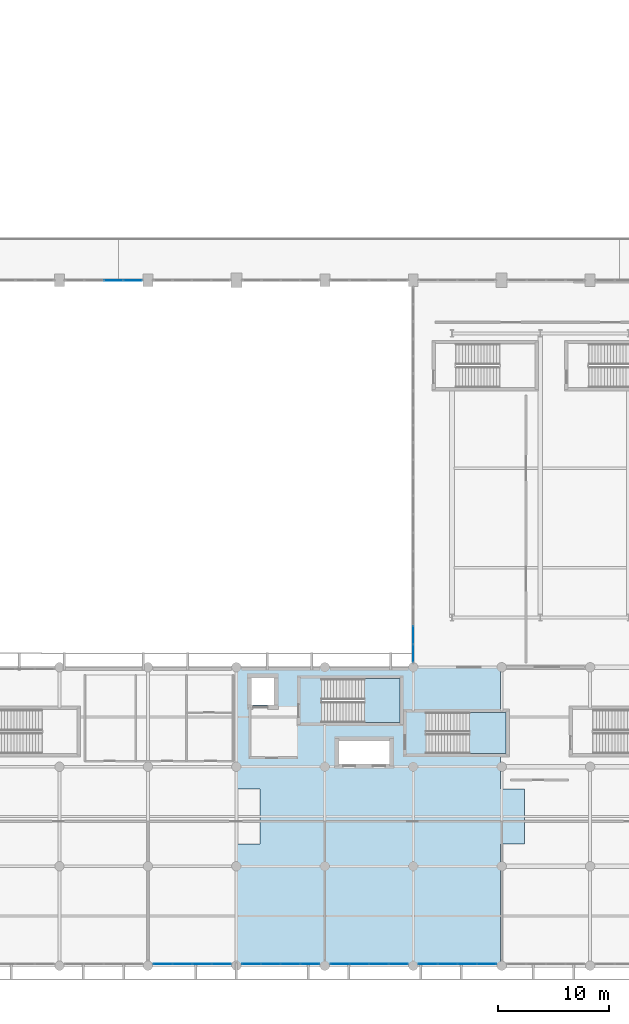
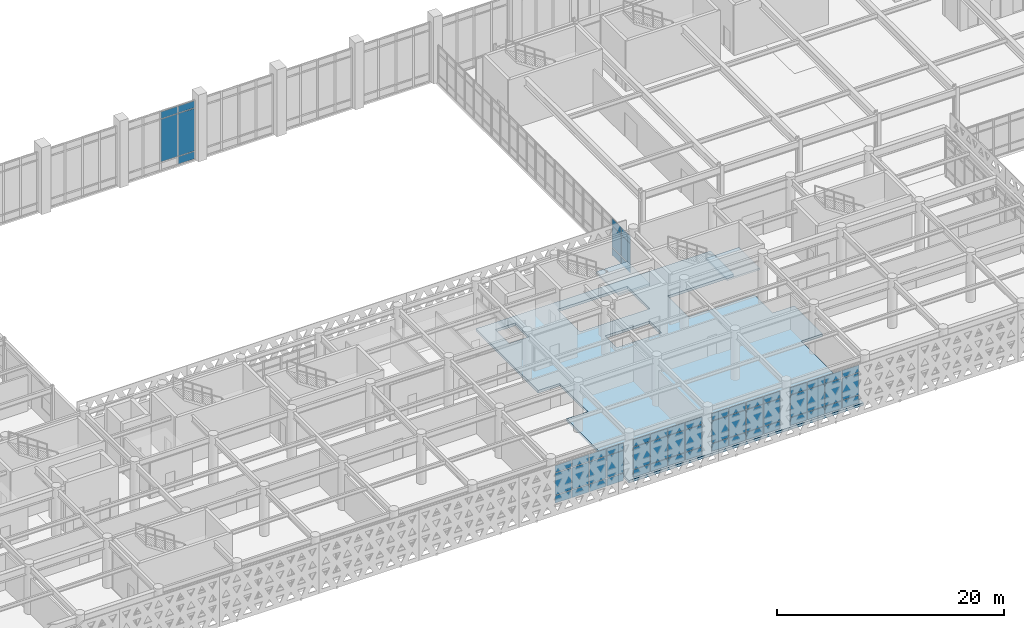
# One storey, part 49 of 84: 59 plates, 3 slabs, 8 elements without a shape of their own.
"""IFC4 building model written with IfcOpenShell, lengths in metres."""

from ifc_helpers import new_model, si_unit, direction, frame, origin, origin_2d, place, context, subcontext, project, spatial, polyline, rectangle, outline, extrude, material, layer, layer_set, type_object, element, aggregate, save


model = new_model("IFC4")

# Units and contexts
model_context = context("Model", 3, precision=1e-05, world=origin(), true_north=direction((0.0, 1.0)))
body_context = subcontext(model_context, "Body", "Model", "MODEL_VIEW")
ifc_project = project(units=[si_unit("LENGTHUNIT", "METRE"), si_unit("AREAUNIT", "SQUARE_METRE"), si_unit("VOLUMEUNIT", "CUBIC_METRE"), si_unit("PLANEANGLEUNIT", "RADIAN"), si_unit("MASSUNIT", "GRAM", prefix="KILO")], contexts=[model_context])

# Site, building, storey
site_placement = place(None, origin())
site = spatial("IfcSite", under=ifc_project, at=site_placement, CompositionType="ELEMENT")
building_placement = place(site_placement, origin())
building = spatial("IfcBuilding", under=site, at=building_placement, Name="Tlacozan Convention Centre", CompositionType="ELEMENT")
storey_placement = place(building_placement, frame((0.0, 0.0, 6.0)))
storey = spatial("IfcBuildingStorey", under=building, at=storey_placement, Name="L01", CompositionType="ELEMENT", Elevation=6.0)

# Curtain wall, plates
ifc_material_1 = material(Name="Dark Bronze Anodised Aluminium", Category="aluminium")
ifc_layer_1 = layer(ifc_material_1, 0.199951171875)
ifc_layer_set_1 = layer_set([ifc_layer_1], Name="Dark Bronze Anodised Aluminium")
curtain_wall_type_1 = type_object("IfcCurtainWallType", Name="Exhibition Clerestory Curtain Wall CW10", PredefinedType="NOTDEFINED", material=ifc_layer_set_1)
curtain_wall_1_placement = place(storey_placement, origin())
curtain_wall_1 = element("IfcCurtainWall", 1, at=curtain_wall_1_placement, inside=storey, type_object=curtain_wall_type_1, Name="L01 CW-10 Run 16", PredefinedType="NOTDEFINED")
ifc_material_2 = material(Name="Solar Control Double Low-E Argon Glazing", Category="glass")
ifc_layer_2 = layer(ifc_material_2, 0.050048828125)
ifc_layer_set_2 = layer_set([ifc_layer_2], Name="Solar Control Double Low-E Argon Glazing")
plate_type_1 = type_object("IfcPlateType", Name="Clerestory Solar CW Panel 50", PredefinedType="CURTAIN_PANEL", material=ifc_layer_set_2)
plate_1_placement = place(storey_placement, frame((60.8837890625, 62.0, 0.9375), z_axis=(0.0, 0.0, 1.0), x_axis=(1.0, 0.0, 0.0)))
plate_1 = element("IfcPlate", 2, at=plate_1_placement, type_object=plate_type_1, Name="CW-10 panel 3.2", PredefinedType="CURTAIN_PANEL", context=body_context, shape_type="SweptSolid", body=[
    extrude(rectangle(XDim=1.6923828125, YDim=0.050048828125, at=origin_2d()), origin(), (0.0, 0.0, 1.0), 4.574951171875),
])
plate_2_placement = place(storey_placement, frame((60.8837890625, 62.0, 5.58740234375), z_axis=(0.0, 0.0, 1.0), x_axis=(1.0, 0.0, 0.0)))
plate_2 = element("IfcPlate", 3, at=plate_2_placement, type_object=plate_type_1, Name="CW-10 panel 3.3", PredefinedType="CURTAIN_PANEL", context=body_context, shape_type="SweptSolid", body=[
    extrude(rectangle(XDim=1.6923828125, YDim=0.050048828125, at=origin_2d()), origin(), (0.0, 0.0, 1.0), 0.737548828125),
])
plate_3_placement = place(storey_placement, frame((62.632568359375, 62.0, 0.074951171875), z_axis=(0.0, 0.0, 1.0), x_axis=(1.0, 0.0, 0.0)))
plate_3 = element("IfcPlate", 4, at=plate_3_placement, type_object=plate_type_1, Name="CW-10 panel 4.1", PredefinedType="CURTAIN_PANEL", context=body_context, shape_type="SweptSolid", body=[
    extrude(rectangle(XDim=1.655029296875, YDim=0.050048828125, at=origin_2d()), origin(), (0.0, 0.0, 1.0), 0.78759765625),
])
plate_4_placement = place(storey_placement, frame((62.632568359375, 62.0, 0.9375), z_axis=(0.0, 0.0, 1.0), x_axis=(1.0, 0.0, 0.0)))
plate_4 = element("IfcPlate", 5, at=plate_4_placement, type_object=plate_type_1, Name="CW-10 panel 4.2", PredefinedType="CURTAIN_PANEL", context=body_context, shape_type="SweptSolid", body=[
    extrude(rectangle(XDim=1.655029296875, YDim=0.050048828125, at=origin_2d()), origin(), (0.0, 0.0, 1.0), 4.574951171875),
])
plate_5_placement = place(storey_placement, frame((62.632568359375, 62.0, 5.58740234375), z_axis=(0.0, 0.0, 1.0), x_axis=(1.0, 0.0, 0.0)))
plate_5 = element("IfcPlate", 6, at=plate_5_placement, type_object=plate_type_1, Name="CW-10 panel 4.3", PredefinedType="CURTAIN_PANEL", context=body_context, shape_type="SweptSolid", body=[
    extrude(rectangle(XDim=1.655029296875, YDim=0.050048828125, at=origin_2d()), origin(), (0.0, 0.0, 1.0), 0.737548828125),
])
aggregate(curtain_wall_1, [plate_1, plate_2, plate_3, plate_4, plate_5])

# Slab
ifc_material_3 = material(Name="Concrete C40/50", Category="concrete")
ifc_layer_3 = layer(ifc_material_3, 0.280029296875)
ifc_layer_set_3 = layer_set([ifc_layer_3], Name="Concrete C40/50")
slab_type_1 = type_object("IfcSlabType", Name="Congress Composite Floor Slab 280", PredefinedType="FLOOR", material=ifc_layer_set_3)
slab_1_placement = place(storey_placement, frame((0.0, 0.0, -0.280029296875)))
element("IfcSlab", 7, at=slab_1_placement, inside=storey, type_object=slab_type_1, Name="L01 Congress Composite Floor Slab 280 56", PredefinedType="FLOOR", context=body_context, shape_type="SweptSolid", body=[
    extrude(outline(polyline([(71.9599609375, 11.0), (74.159912109375, 11.0), (74.159912109375, 16.0), (71.9599609375, 16.0), (71.9599609375, 27.0), (95.8798828125, 27.0), (95.8798828125, 22.89990234375), (89.14990234375, 22.89990234375), (89.14990234375, 19.199951171875), (95.8798828125, 19.199951171875), (95.8798828125, 16.0), (98.080078125, 16.0), (98.080078125, 11.0), (95.8798828125, 11.0), (95.8798828125, 0.0), (71.9599609375, 0.0), (71.9599609375, 11.0)]), holes=[polyline([(75.419921875, 23.580078125), (75.419921875, 26.02001953125), (73.3798828125, 26.02001953125), (73.3798828125, 23.580078125), (75.419921875, 23.580078125)]), polyline([(85.830078125, 20.330078125), (81.27001953125, 20.330078125), (81.27001953125, 18.27001953125), (85.830078125, 18.27001953125), (85.830078125, 20.330078125)]), polyline([(79.679931640625, 22.0), (86.800048828125, 22.0), (86.800048828125, 25.9599609375), (79.679931640625, 25.9599609375), (79.679931640625, 22.0)])]), origin(), (0.0, 0.0, 1.0), 0.280029296875),
])

# Curtain wall, plates
ifc_layer_4 = layer(ifc_material_1, 0.199951171875)
ifc_layer_set_4 = layer_set([ifc_layer_4], Name="Dark Bronze Anodised Aluminium")
curtain_wall_type_2 = type_object("IfcCurtainWallType", Name="Unitised Ballroom Cloister L01 CW08", PredefinedType="NOTDEFINED", material=ifc_layer_set_4)
curtain_wall_2_placement = place(storey_placement, origin())
curtain_wall_2 = element("IfcCurtainWall", 8, at=curtain_wall_2_placement, inside=storey, type_object=curtain_wall_type_2, Name="L01 CW-08 Run 155", PredefinedType="NOTDEFINED")
ifc_layer_5 = layer(ifc_material_2, 0.030029296875)
ifc_layer_set_5 = layer_set([ifc_layer_5], Name="Solar Control Double Low-E Argon Glazing")
plate_type_2 = type_object("IfcPlateType", Name="Double Low-E Acoustic CW Panel 30", PredefinedType="CURTAIN_PANEL", material=ifc_layer_set_5)
plate_6_placement = place(storey_placement, frame((88.0, 28.2587890625, 0.074951171875), z_axis=(0.0, 0.0, 1.0), x_axis=(0.0, 1.0, 0.0)))
plate_6 = element("IfcPlate", 9, at=plate_6_placement, type_object=plate_type_2, Name="CW-08 panel 1.1", PredefinedType="CURTAIN_PANEL", context=body_context, shape_type="SweptSolid", body=[
    extrude(rectangle(XDim=1.5673828125, YDim=0.030029296875, at=origin_2d()), origin(), (0.0, 0.0, 1.0), 0.78759765625),
])
plate_7_placement = place(storey_placement, frame((88.0, 28.2587890625, 0.9375), z_axis=(0.0, 0.0, 1.0), x_axis=(0.0, 1.0, 0.0)))
plate_7 = element("IfcPlate", 10, at=plate_7_placement, type_object=plate_type_2, Name="CW-08 panel 1.2", PredefinedType="CURTAIN_PANEL", context=body_context, shape_type="SweptSolid", body=[
    extrude(rectangle(XDim=1.5673828125, YDim=0.030029296875, at=origin_2d()), origin(), (0.0, 0.0, 1.0), 2.27490234375),
])
plate_8_placement = place(storey_placement, frame((88.0, 28.2587890625, 3.28759765625), z_axis=(0.0, 0.0, 1.0), x_axis=(0.0, 1.0, 0.0)))
plate_8 = element("IfcPlate", 11, at=plate_8_placement, type_object=plate_type_2, Name="CW-08 panel 1.3", PredefinedType="CURTAIN_PANEL", context=body_context, shape_type="SweptSolid", body=[
    extrude(rectangle(XDim=1.5673828125, YDim=0.030029296875, at=origin_2d()), origin(), (0.0, 0.0, 1.0), 0.737548828125),
])
plate_9_placement = place(storey_placement, frame((88.0, 29.919921875, 0.074951171875), z_axis=(0.0, 0.0, 1.0), x_axis=(0.0, 1.0, 0.0)))
plate_9 = element("IfcPlate", 12, at=plate_9_placement, type_object=plate_type_2, Name="CW-08 panel 2.1", PredefinedType="CURTAIN_PANEL", context=body_context, shape_type="SweptSolid", body=[
    extrude(rectangle(XDim=1.60498046875, YDim=0.030029296875, at=origin_2d()), origin(), (0.0, 0.0, 1.0), 0.78759765625),
])
plate_10_placement = place(storey_placement, frame((88.0, 29.919921875, 0.9375), z_axis=(0.0, 0.0, 1.0), x_axis=(0.0, 1.0, 0.0)))
plate_10 = element("IfcPlate", 13, at=plate_10_placement, type_object=plate_type_2, Name="CW-08 panel 2.2", PredefinedType="CURTAIN_PANEL", context=body_context, shape_type="SweptSolid", body=[
    extrude(rectangle(XDim=1.60498046875, YDim=0.030029296875, at=origin_2d()), origin(), (0.0, 0.0, 1.0), 2.27490234375),
])
plate_11_placement = place(storey_placement, frame((88.0, 29.919921875, 3.28759765625), z_axis=(0.0, 0.0, 1.0), x_axis=(0.0, 1.0, 0.0)))
plate_11 = element("IfcPlate", 14, at=plate_11_placement, type_object=plate_type_2, Name="CW-08 panel 2.3", PredefinedType="CURTAIN_PANEL", context=body_context, shape_type="SweptSolid", body=[
    extrude(rectangle(XDim=1.60498046875, YDim=0.030029296875, at=origin_2d()), origin(), (0.0, 0.0, 1.0), 0.737548828125),
])
aggregate(curtain_wall_2, [plate_6, plate_7, plate_8, plate_9, plate_10, plate_11])

ifc_layer_6 = layer(ifc_material_1, 0.159912109375)
ifc_layer_set_6 = layer_set([ifc_layer_6], Name="Dark Bronze Anodised Aluminium")
curtain_wall_type_3 = type_object("IfcCurtainWallType", Name="Unitised Congress L01 South CW02", PredefinedType="NOTDEFINED", material=ifc_layer_set_6)
curtain_wall_3_placement = place(storey_placement, origin())
curtain_wall_3 = element("IfcCurtainWall", 15, at=curtain_wall_3_placement, inside=storey, type_object=curtain_wall_type_3, Name="L01 CW-02 Run 63", PredefinedType="NOTDEFINED")
ifc_layer_7 = layer(ifc_material_2, 0.02001953125)
ifc_layer_set_7 = layer_set([ifc_layer_7], Name="Solar Control Double Low-E Argon Glazing")
plate_type_3 = type_object("IfcPlateType", Name="Double Low-E Glazed CW Panel 20", PredefinedType="CURTAIN_PANEL", material=ifc_layer_set_7)
plate_12_placement = place(storey_placement, frame((65.353759765625, 0.159912109375, 0.06494140625), z_axis=(0.0, 0.0, 1.0), x_axis=(1.0, 0.0, 0.0)))
plate_12 = element("IfcPlate", 16, at=plate_12_placement, type_object=plate_type_3, Name="CW-02 panel 1.1", PredefinedType="CURTAIN_PANEL", context=body_context, shape_type="SweptSolid", body=[
    extrude(rectangle(XDim=1.677490234375, YDim=0.02001953125, at=origin_2d()), origin(), (0.0, 0.0, 1.0), 0.802490234375),
])
plate_13_placement = place(storey_placement, frame((65.353759765625, 0.159912109375, 0.9326171875), z_axis=(0.0, 0.0, 1.0), x_axis=(1.0, 0.0, 0.0)))
plate_13 = element("IfcPlate", 17, at=plate_13_placement, type_object=plate_type_3, Name="CW-02 panel 1.2", PredefinedType="CURTAIN_PANEL", context=body_context, shape_type="SweptSolid", body=[
    extrude(rectangle(XDim=1.677490234375, YDim=0.02001953125, at=origin_2d()), origin(), (0.0, 0.0, 1.0), 2.364990234375),
])
plate_14_placement = place(storey_placement, frame((65.353759765625, 0.159912109375, 3.362548828125), z_axis=(0.0, 0.0, 1.0), x_axis=(1.0, 0.0, 0.0)))
plate_14 = element("IfcPlate", 18, at=plate_14_placement, type_object=plate_type_3, Name="CW-02 panel 1.3", PredefinedType="CURTAIN_PANEL", context=body_context, shape_type="SweptSolid", body=[
    extrude(rectangle(XDim=1.677490234375, YDim=0.02001953125, at=origin_2d()), origin(), (0.0, 0.0, 1.0), 0.75244140625),
])
plate_15_placement = place(storey_placement, frame((67.112548828125, 0.159912109375, 0.06494140625), z_axis=(0.0, 0.0, 1.0), x_axis=(1.0, 0.0, 0.0)))
plate_15 = element("IfcPlate", 19, at=plate_15_placement, type_object=plate_type_3, Name="CW-02 panel 2.1", PredefinedType="CURTAIN_PANEL", context=body_context, shape_type="SweptSolid", body=[
    extrude(rectangle(XDim=1.7099609375, YDim=0.02001953125, at=origin_2d()), origin(), (0.0, 0.0, 1.0), 0.802490234375),
])
plate_16_placement = place(storey_placement, frame((67.112548828125, 0.159912109375, 0.9326171875), z_axis=(0.0, 0.0, 1.0), x_axis=(1.0, 0.0, 0.0)))
plate_16 = element("IfcPlate", 20, at=plate_16_placement, type_object=plate_type_3, Name="CW-02 panel 2.2", PredefinedType="CURTAIN_PANEL", context=body_context, shape_type="SweptSolid", body=[
    extrude(rectangle(XDim=1.7099609375, YDim=0.02001953125, at=origin_2d()), origin(), (0.0, 0.0, 1.0), 2.364990234375),
])
plate_17_placement = place(storey_placement, frame((67.112548828125, 0.159912109375, 3.362548828125), z_axis=(0.0, 0.0, 1.0), x_axis=(1.0, 0.0, 0.0)))
plate_17 = element("IfcPlate", 21, at=plate_17_placement, type_object=plate_type_3, Name="CW-02 panel 2.3", PredefinedType="CURTAIN_PANEL", context=body_context, shape_type="SweptSolid", body=[
    extrude(rectangle(XDim=1.7099609375, YDim=0.02001953125, at=origin_2d()), origin(), (0.0, 0.0, 1.0), 0.75244140625),
])
plate_18_placement = place(storey_placement, frame((68.887451171875, 0.159912109375, 0.06494140625), z_axis=(0.0, 0.0, 1.0), x_axis=(1.0, 0.0, 0.0)))
plate_18 = element("IfcPlate", 22, at=plate_18_placement, type_object=plate_type_3, Name="CW-02 panel 3.1", PredefinedType="CURTAIN_PANEL", context=body_context, shape_type="SweptSolid", body=[
    extrude(rectangle(XDim=1.7099609375, YDim=0.02001953125, at=origin_2d()), origin(), (0.0, 0.0, 1.0), 0.802490234375),
])
plate_19_placement = place(storey_placement, frame((68.887451171875, 0.159912109375, 0.9326171875), z_axis=(0.0, 0.0, 1.0), x_axis=(1.0, 0.0, 0.0)))
plate_19 = element("IfcPlate", 23, at=plate_19_placement, type_object=plate_type_3, Name="CW-02 panel 3.2", PredefinedType="CURTAIN_PANEL", context=body_context, shape_type="SweptSolid", body=[
    extrude(rectangle(XDim=1.7099609375, YDim=0.02001953125, at=origin_2d()), origin(), (0.0, 0.0, 1.0), 2.364990234375),
])
plate_20_placement = place(storey_placement, frame((68.887451171875, 0.159912109375, 3.362548828125), z_axis=(0.0, 0.0, 1.0), x_axis=(1.0, 0.0, 0.0)))
plate_20 = element("IfcPlate", 24, at=plate_20_placement, type_object=plate_type_3, Name="CW-02 panel 3.3", PredefinedType="CURTAIN_PANEL", context=body_context, shape_type="SweptSolid", body=[
    extrude(rectangle(XDim=1.7099609375, YDim=0.02001953125, at=origin_2d()), origin(), (0.0, 0.0, 1.0), 0.75244140625),
])
plate_21_placement = place(storey_placement, frame((70.646240234375, 0.159912109375, 0.06494140625), z_axis=(0.0, 0.0, 1.0), x_axis=(1.0, 0.0, 0.0)))
plate_21 = element("IfcPlate", 25, at=plate_21_placement, type_object=plate_type_3, Name="CW-02 panel 4.1", PredefinedType="CURTAIN_PANEL", context=body_context, shape_type="SweptSolid", body=[
    extrude(rectangle(XDim=1.677490234375, YDim=0.02001953125, at=origin_2d()), origin(), (0.0, 0.0, 1.0), 0.802490234375),
])
plate_22_placement = place(storey_placement, frame((70.646240234375, 0.159912109375, 0.9326171875), z_axis=(0.0, 0.0, 1.0), x_axis=(1.0, 0.0, 0.0)))
plate_22 = element("IfcPlate", 26, at=plate_22_placement, type_object=plate_type_3, Name="CW-02 panel 4.2", PredefinedType="CURTAIN_PANEL", context=body_context, shape_type="SweptSolid", body=[
    extrude(rectangle(XDim=1.677490234375, YDim=0.02001953125, at=origin_2d()), origin(), (0.0, 0.0, 1.0), 2.364990234375),
])
plate_23_placement = place(storey_placement, frame((70.646240234375, 0.159912109375, 3.362548828125), z_axis=(0.0, 0.0, 1.0), x_axis=(1.0, 0.0, 0.0)))
plate_23 = element("IfcPlate", 27, at=plate_23_placement, type_object=plate_type_3, Name="CW-02 panel 4.3", PredefinedType="CURTAIN_PANEL", context=body_context, shape_type="SweptSolid", body=[
    extrude(rectangle(XDim=1.677490234375, YDim=0.02001953125, at=origin_2d()), origin(), (0.0, 0.0, 1.0), 0.75244140625),
])
aggregate(curtain_wall_3, [plate_12, plate_13, plate_14, plate_15, plate_16, plate_17, plate_18, plate_19, plate_20, plate_21, plate_22, plate_23])

curtain_wall_4_placement = place(storey_placement, origin())
curtain_wall_4 = element("IfcCurtainWall", 28, at=curtain_wall_4_placement, inside=storey, type_object=curtain_wall_type_3, Name="L01 CW-02 Run 65", PredefinedType="NOTDEFINED")
plate_24_placement = place(storey_placement, frame((81.353759765625, 0.159912109375, 0.06494140625), z_axis=(0.0, 0.0, 1.0), x_axis=(1.0, 0.0, 0.0)))
plate_24 = element("IfcPlate", 29, at=plate_24_placement, type_object=plate_type_3, Name="CW-02 panel 1.1", PredefinedType="CURTAIN_PANEL", context=body_context, shape_type="SweptSolid", body=[
    extrude(rectangle(XDim=1.677490234375, YDim=0.02001953125, at=origin_2d()), origin(), (0.0, 0.0, 1.0), 0.802490234375),
])
plate_25_placement = place(storey_placement, frame((81.353759765625, 0.159912109375, 0.9326171875), z_axis=(0.0, 0.0, 1.0), x_axis=(1.0, 0.0, 0.0)))
plate_25 = element("IfcPlate", 30, at=plate_25_placement, type_object=plate_type_3, Name="CW-02 panel 1.2", PredefinedType="CURTAIN_PANEL", context=body_context, shape_type="SweptSolid", body=[
    extrude(rectangle(XDim=1.677490234375, YDim=0.02001953125, at=origin_2d()), origin(), (0.0, 0.0, 1.0), 2.364990234375),
])
plate_26_placement = place(storey_placement, frame((81.353759765625, 0.159912109375, 3.362548828125), z_axis=(0.0, 0.0, 1.0), x_axis=(1.0, 0.0, 0.0)))
plate_26 = element("IfcPlate", 31, at=plate_26_placement, type_object=plate_type_3, Name="CW-02 panel 1.3", PredefinedType="CURTAIN_PANEL", context=body_context, shape_type="SweptSolid", body=[
    extrude(rectangle(XDim=1.677490234375, YDim=0.02001953125, at=origin_2d()), origin(), (0.0, 0.0, 1.0), 0.75244140625),
])
plate_27_placement = place(storey_placement, frame((83.112548828125, 0.159912109375, 0.06494140625), z_axis=(0.0, 0.0, 1.0), x_axis=(1.0, 0.0, 0.0)))
plate_27 = element("IfcPlate", 32, at=plate_27_placement, type_object=plate_type_3, Name="CW-02 panel 2.1", PredefinedType="CURTAIN_PANEL", context=body_context, shape_type="SweptSolid", body=[
    extrude(rectangle(XDim=1.7099609375, YDim=0.02001953125, at=origin_2d()), origin(), (0.0, 0.0, 1.0), 0.802490234375),
])
plate_28_placement = place(storey_placement, frame((83.112548828125, 0.159912109375, 0.9326171875), z_axis=(0.0, 0.0, 1.0), x_axis=(1.0, 0.0, 0.0)))
plate_28 = element("IfcPlate", 33, at=plate_28_placement, type_object=plate_type_3, Name="CW-02 panel 2.2", PredefinedType="CURTAIN_PANEL", context=body_context, shape_type="SweptSolid", body=[
    extrude(rectangle(XDim=1.7099609375, YDim=0.02001953125, at=origin_2d()), origin(), (0.0, 0.0, 1.0), 2.364990234375),
])
plate_29_placement = place(storey_placement, frame((83.112548828125, 0.159912109375, 3.362548828125), z_axis=(0.0, 0.0, 1.0), x_axis=(1.0, 0.0, 0.0)))
plate_29 = element("IfcPlate", 34, at=plate_29_placement, type_object=plate_type_3, Name="CW-02 panel 2.3", PredefinedType="CURTAIN_PANEL", context=body_context, shape_type="SweptSolid", body=[
    extrude(rectangle(XDim=1.7099609375, YDim=0.02001953125, at=origin_2d()), origin(), (0.0, 0.0, 1.0), 0.75244140625),
])
plate_30_placement = place(storey_placement, frame((84.887451171875, 0.159912109375, 0.06494140625), z_axis=(0.0, 0.0, 1.0), x_axis=(1.0, 0.0, 0.0)))
plate_30 = element("IfcPlate", 35, at=plate_30_placement, type_object=plate_type_3, Name="CW-02 panel 3.1", PredefinedType="CURTAIN_PANEL", context=body_context, shape_type="SweptSolid", body=[
    extrude(rectangle(XDim=1.7099609375, YDim=0.02001953125, at=origin_2d()), origin(), (0.0, 0.0, 1.0), 0.802490234375),
])
plate_31_placement = place(storey_placement, frame((84.887451171875, 0.159912109375, 0.9326171875), z_axis=(0.0, 0.0, 1.0), x_axis=(1.0, 0.0, 0.0)))
plate_31 = element("IfcPlate", 36, at=plate_31_placement, type_object=plate_type_3, Name="CW-02 panel 3.2", PredefinedType="CURTAIN_PANEL", context=body_context, shape_type="SweptSolid", body=[
    extrude(rectangle(XDim=1.7099609375, YDim=0.02001953125, at=origin_2d()), origin(), (0.0, 0.0, 1.0), 2.364990234375),
])
plate_32_placement = place(storey_placement, frame((84.887451171875, 0.159912109375, 3.362548828125), z_axis=(0.0, 0.0, 1.0), x_axis=(1.0, 0.0, 0.0)))
plate_32 = element("IfcPlate", 37, at=plate_32_placement, type_object=plate_type_3, Name="CW-02 panel 3.3", PredefinedType="CURTAIN_PANEL", context=body_context, shape_type="SweptSolid", body=[
    extrude(rectangle(XDim=1.7099609375, YDim=0.02001953125, at=origin_2d()), origin(), (0.0, 0.0, 1.0), 0.75244140625),
])
plate_33_placement = place(storey_placement, frame((86.646240234375, 0.159912109375, 0.06494140625), z_axis=(0.0, 0.0, 1.0), x_axis=(1.0, 0.0, 0.0)))
plate_33 = element("IfcPlate", 38, at=plate_33_placement, type_object=plate_type_3, Name="CW-02 panel 4.1", PredefinedType="CURTAIN_PANEL", context=body_context, shape_type="SweptSolid", body=[
    extrude(rectangle(XDim=1.677490234375, YDim=0.02001953125, at=origin_2d()), origin(), (0.0, 0.0, 1.0), 0.802490234375),
])
plate_34_placement = place(storey_placement, frame((86.646240234375, 0.159912109375, 0.9326171875), z_axis=(0.0, 0.0, 1.0), x_axis=(1.0, 0.0, 0.0)))
plate_34 = element("IfcPlate", 39, at=plate_34_placement, type_object=plate_type_3, Name="CW-02 panel 4.2", PredefinedType="CURTAIN_PANEL", context=body_context, shape_type="SweptSolid", body=[
    extrude(rectangle(XDim=1.677490234375, YDim=0.02001953125, at=origin_2d()), origin(), (0.0, 0.0, 1.0), 2.364990234375),
])
plate_35_placement = place(storey_placement, frame((86.646240234375, 0.159912109375, 3.362548828125), z_axis=(0.0, 0.0, 1.0), x_axis=(1.0, 0.0, 0.0)))
plate_35 = element("IfcPlate", 40, at=plate_35_placement, type_object=plate_type_3, Name="CW-02 panel 4.3", PredefinedType="CURTAIN_PANEL", context=body_context, shape_type="SweptSolid", body=[
    extrude(rectangle(XDim=1.677490234375, YDim=0.02001953125, at=origin_2d()), origin(), (0.0, 0.0, 1.0), 0.75244140625),
])
aggregate(curtain_wall_4, [plate_24, plate_25, plate_26, plate_27, plate_28, plate_29, plate_30, plate_31, plate_32, plate_33, plate_34, plate_35])

curtain_wall_5_placement = place(storey_placement, origin())
curtain_wall_5 = element("IfcCurtainWall", 41, at=curtain_wall_5_placement, inside=storey, type_object=curtain_wall_type_3, Name="L01 CW-02 Run 64", PredefinedType="NOTDEFINED")
ifc_layer_8 = layer(ifc_material_2, 0.0400390625)
ifc_layer_set_8 = layer_set([ifc_layer_8], Name="Solar Control Double Low-E Argon Glazing")
plate_type_4 = type_object("IfcPlateType", Name="Insulated Spandrel CW Panel 40", PredefinedType="CURTAIN_PANEL", material=ifc_layer_set_8)
plate_36_placement = place(storey_placement, frame((73.353759765625, 0.159912109375, 0.06494140625), z_axis=(0.0, 0.0, 1.0), x_axis=(1.0, 0.0, 0.0)))
plate_36 = element("IfcPlate", 42, at=plate_36_placement, type_object=plate_type_4, Name="CW-02 panel 1.1", PredefinedType="CURTAIN_PANEL", context=body_context, shape_type="SweptSolid", body=[
    extrude(rectangle(XDim=1.677490234375, YDim=0.0400390625, at=origin_2d()), origin(), (0.0, 0.0, 1.0), 0.802490234375),
])
plate_37_placement = place(storey_placement, frame((73.353759765625, 0.159912109375, 0.9326171875), z_axis=(0.0, 0.0, 1.0), x_axis=(1.0, 0.0, 0.0)))
plate_37 = element("IfcPlate", 43, at=plate_37_placement, type_object=plate_type_4, Name="CW-02 panel 1.2", PredefinedType="CURTAIN_PANEL", context=body_context, shape_type="SweptSolid", body=[
    extrude(rectangle(XDim=1.677490234375, YDim=0.0400390625, at=origin_2d()), origin(), (0.0, 0.0, 1.0), 2.364990234375),
])
plate_38_placement = place(storey_placement, frame((73.353759765625, 0.159912109375, 3.362548828125), z_axis=(0.0, 0.0, 1.0), x_axis=(1.0, 0.0, 0.0)))
plate_38 = element("IfcPlate", 44, at=plate_38_placement, type_object=plate_type_4, Name="CW-02 panel 1.3", PredefinedType="CURTAIN_PANEL", context=body_context, shape_type="SweptSolid", body=[
    extrude(rectangle(XDim=1.677490234375, YDim=0.0400390625, at=origin_2d()), origin(), (0.0, 0.0, 1.0), 0.75244140625),
])
plate_39_placement = place(storey_placement, frame((75.112548828125, 0.159912109375, 0.06494140625), z_axis=(0.0, 0.0, 1.0), x_axis=(1.0, 0.0, 0.0)))
plate_39 = element("IfcPlate", 45, at=plate_39_placement, type_object=plate_type_4, Name="CW-02 panel 2.1", PredefinedType="CURTAIN_PANEL", context=body_context, shape_type="SweptSolid", body=[
    extrude(rectangle(XDim=1.7099609375, YDim=0.0400390625, at=origin_2d()), origin(), (0.0, 0.0, 1.0), 0.802490234375),
])
plate_40_placement = place(storey_placement, frame((75.112548828125, 0.159912109375, 0.9326171875), z_axis=(0.0, 0.0, 1.0), x_axis=(1.0, 0.0, 0.0)))
plate_40 = element("IfcPlate", 46, at=plate_40_placement, type_object=plate_type_4, Name="CW-02 panel 2.2", PredefinedType="CURTAIN_PANEL", context=body_context, shape_type="SweptSolid", body=[
    extrude(rectangle(XDim=1.7099609375, YDim=0.0400390625, at=origin_2d()), origin(), (0.0, 0.0, 1.0), 2.364990234375),
])
plate_41_placement = place(storey_placement, frame((75.112548828125, 0.159912109375, 3.362548828125), z_axis=(0.0, 0.0, 1.0), x_axis=(1.0, 0.0, 0.0)))
plate_41 = element("IfcPlate", 47, at=plate_41_placement, type_object=plate_type_4, Name="CW-02 panel 2.3", PredefinedType="CURTAIN_PANEL", context=body_context, shape_type="SweptSolid", body=[
    extrude(rectangle(XDim=1.7099609375, YDim=0.0400390625, at=origin_2d()), origin(), (0.0, 0.0, 1.0), 0.75244140625),
])
plate_42_placement = place(storey_placement, frame((76.887451171875, 0.159912109375, 0.06494140625), z_axis=(0.0, 0.0, 1.0), x_axis=(1.0, 0.0, 0.0)))
plate_42 = element("IfcPlate", 48, at=plate_42_placement, type_object=plate_type_4, Name="CW-02 panel 3.1", PredefinedType="CURTAIN_PANEL", context=body_context, shape_type="SweptSolid", body=[
    extrude(rectangle(XDim=1.7099609375, YDim=0.0400390625, at=origin_2d()), origin(), (0.0, 0.0, 1.0), 0.802490234375),
])
plate_43_placement = place(storey_placement, frame((76.887451171875, 0.159912109375, 0.9326171875), z_axis=(0.0, 0.0, 1.0), x_axis=(1.0, 0.0, 0.0)))
plate_43 = element("IfcPlate", 49, at=plate_43_placement, type_object=plate_type_4, Name="CW-02 panel 3.2", PredefinedType="CURTAIN_PANEL", context=body_context, shape_type="SweptSolid", body=[
    extrude(rectangle(XDim=1.7099609375, YDim=0.0400390625, at=origin_2d()), origin(), (0.0, 0.0, 1.0), 2.364990234375),
])
plate_44_placement = place(storey_placement, frame((76.887451171875, 0.159912109375, 3.362548828125), z_axis=(0.0, 0.0, 1.0), x_axis=(1.0, 0.0, 0.0)))
plate_44 = element("IfcPlate", 50, at=plate_44_placement, type_object=plate_type_4, Name="CW-02 panel 3.3", PredefinedType="CURTAIN_PANEL", context=body_context, shape_type="SweptSolid", body=[
    extrude(rectangle(XDim=1.7099609375, YDim=0.0400390625, at=origin_2d()), origin(), (0.0, 0.0, 1.0), 0.75244140625),
])
plate_45_placement = place(storey_placement, frame((78.646240234375, 0.159912109375, 0.06494140625), z_axis=(0.0, 0.0, 1.0), x_axis=(1.0, 0.0, 0.0)))
plate_45 = element("IfcPlate", 51, at=plate_45_placement, type_object=plate_type_4, Name="CW-02 panel 4.1", PredefinedType="CURTAIN_PANEL", context=body_context, shape_type="SweptSolid", body=[
    extrude(rectangle(XDim=1.677490234375, YDim=0.0400390625, at=origin_2d()), origin(), (0.0, 0.0, 1.0), 0.802490234375),
])
plate_46_placement = place(storey_placement, frame((78.646240234375, 0.159912109375, 0.9326171875), z_axis=(0.0, 0.0, 1.0), x_axis=(1.0, 0.0, 0.0)))
plate_46 = element("IfcPlate", 52, at=plate_46_placement, type_object=plate_type_4, Name="CW-02 panel 4.2", PredefinedType="CURTAIN_PANEL", context=body_context, shape_type="SweptSolid", body=[
    extrude(rectangle(XDim=1.677490234375, YDim=0.0400390625, at=origin_2d()), origin(), (0.0, 0.0, 1.0), 2.364990234375),
])
plate_47_placement = place(storey_placement, frame((78.646240234375, 0.159912109375, 3.362548828125), z_axis=(0.0, 0.0, 1.0), x_axis=(1.0, 0.0, 0.0)))
plate_47 = element("IfcPlate", 53, at=plate_47_placement, type_object=plate_type_4, Name="CW-02 panel 4.3", PredefinedType="CURTAIN_PANEL", context=body_context, shape_type="SweptSolid", body=[
    extrude(rectangle(XDim=1.677490234375, YDim=0.0400390625, at=origin_2d()), origin(), (0.0, 0.0, 1.0), 0.75244140625),
])
aggregate(curtain_wall_5, [plate_36, plate_37, plate_38, plate_39, plate_40, plate_41, plate_42, plate_43, plate_44, plate_45, plate_46, plate_47])

curtain_wall_6_placement = place(storey_placement, origin())
curtain_wall_6 = element("IfcCurtainWall", 54, at=curtain_wall_6_placement, inside=storey, type_object=curtain_wall_type_3, Name="L01 CW-02 Run 66", PredefinedType="NOTDEFINED")
plate_48_placement = place(storey_placement, frame((89.353759765625, 0.159912109375, 0.06494140625), z_axis=(0.0, 0.0, 1.0), x_axis=(1.0, 0.0, 0.0)))
plate_48 = element("IfcPlate", 55, at=plate_48_placement, type_object=plate_type_4, Name="CW-02 panel 1.1", PredefinedType="CURTAIN_PANEL", context=body_context, shape_type="SweptSolid", body=[
    extrude(rectangle(XDim=1.677490234375, YDim=0.0400390625, at=origin_2d()), origin(), (0.0, 0.0, 1.0), 0.802490234375),
])
plate_49_placement = place(storey_placement, frame((89.353759765625, 0.159912109375, 0.9326171875), z_axis=(0.0, 0.0, 1.0), x_axis=(1.0, 0.0, 0.0)))
plate_49 = element("IfcPlate", 56, at=plate_49_placement, type_object=plate_type_4, Name="CW-02 panel 1.2", PredefinedType="CURTAIN_PANEL", context=body_context, shape_type="SweptSolid", body=[
    extrude(rectangle(XDim=1.677490234375, YDim=0.0400390625, at=origin_2d()), origin(), (0.0, 0.0, 1.0), 2.364990234375),
])
plate_50_placement = place(storey_placement, frame((89.353759765625, 0.159912109375, 3.362548828125), z_axis=(0.0, 0.0, 1.0), x_axis=(1.0, 0.0, 0.0)))
plate_50 = element("IfcPlate", 57, at=plate_50_placement, type_object=plate_type_4, Name="CW-02 panel 1.3", PredefinedType="CURTAIN_PANEL", context=body_context, shape_type="SweptSolid", body=[
    extrude(rectangle(XDim=1.677490234375, YDim=0.0400390625, at=origin_2d()), origin(), (0.0, 0.0, 1.0), 0.75244140625),
])
plate_51_placement = place(storey_placement, frame((91.112548828125, 0.159912109375, 0.06494140625), z_axis=(0.0, 0.0, 1.0), x_axis=(1.0, 0.0, 0.0)))
plate_51 = element("IfcPlate", 58, at=plate_51_placement, type_object=plate_type_4, Name="CW-02 panel 2.1", PredefinedType="CURTAIN_PANEL", context=body_context, shape_type="SweptSolid", body=[
    extrude(rectangle(XDim=1.7099609375, YDim=0.0400390625, at=origin_2d()), origin(), (0.0, 0.0, 1.0), 0.802490234375),
])
plate_52_placement = place(storey_placement, frame((91.112548828125, 0.159912109375, 0.9326171875), z_axis=(0.0, 0.0, 1.0), x_axis=(1.0, 0.0, 0.0)))
plate_52 = element("IfcPlate", 59, at=plate_52_placement, type_object=plate_type_4, Name="CW-02 panel 2.2", PredefinedType="CURTAIN_PANEL", context=body_context, shape_type="SweptSolid", body=[
    extrude(rectangle(XDim=1.7099609375, YDim=0.0400390625, at=origin_2d()), origin(), (0.0, 0.0, 1.0), 2.364990234375),
])
plate_53_placement = place(storey_placement, frame((91.112548828125, 0.159912109375, 3.362548828125), z_axis=(0.0, 0.0, 1.0), x_axis=(1.0, 0.0, 0.0)))
plate_53 = element("IfcPlate", 60, at=plate_53_placement, type_object=plate_type_4, Name="CW-02 panel 2.3", PredefinedType="CURTAIN_PANEL", context=body_context, shape_type="SweptSolid", body=[
    extrude(rectangle(XDim=1.7099609375, YDim=0.0400390625, at=origin_2d()), origin(), (0.0, 0.0, 1.0), 0.75244140625),
])
plate_54_placement = place(storey_placement, frame((92.887451171875, 0.159912109375, 0.06494140625), z_axis=(0.0, 0.0, 1.0), x_axis=(1.0, 0.0, 0.0)))
plate_54 = element("IfcPlate", 61, at=plate_54_placement, type_object=plate_type_4, Name="CW-02 panel 3.1", PredefinedType="CURTAIN_PANEL", context=body_context, shape_type="SweptSolid", body=[
    extrude(rectangle(XDim=1.7099609375, YDim=0.0400390625, at=origin_2d()), origin(), (0.0, 0.0, 1.0), 0.802490234375),
])
plate_55_placement = place(storey_placement, frame((92.887451171875, 0.159912109375, 0.9326171875), z_axis=(0.0, 0.0, 1.0), x_axis=(1.0, 0.0, 0.0)))
plate_55 = element("IfcPlate", 62, at=plate_55_placement, type_object=plate_type_4, Name="CW-02 panel 3.2", PredefinedType="CURTAIN_PANEL", context=body_context, shape_type="SweptSolid", body=[
    extrude(rectangle(XDim=1.7099609375, YDim=0.0400390625, at=origin_2d()), origin(), (0.0, 0.0, 1.0), 2.364990234375),
])
plate_56_placement = place(storey_placement, frame((92.887451171875, 0.159912109375, 3.362548828125), z_axis=(0.0, 0.0, 1.0), x_axis=(1.0, 0.0, 0.0)))
plate_56 = element("IfcPlate", 63, at=plate_56_placement, type_object=plate_type_4, Name="CW-02 panel 3.3", PredefinedType="CURTAIN_PANEL", context=body_context, shape_type="SweptSolid", body=[
    extrude(rectangle(XDim=1.7099609375, YDim=0.0400390625, at=origin_2d()), origin(), (0.0, 0.0, 1.0), 0.75244140625),
])
plate_57_placement = place(storey_placement, frame((94.646240234375, 0.159912109375, 0.06494140625), z_axis=(0.0, 0.0, 1.0), x_axis=(1.0, 0.0, 0.0)))
plate_57 = element("IfcPlate", 64, at=plate_57_placement, type_object=plate_type_4, Name="CW-02 panel 4.1", PredefinedType="CURTAIN_PANEL", context=body_context, shape_type="SweptSolid", body=[
    extrude(rectangle(XDim=1.677490234375, YDim=0.0400390625, at=origin_2d()), origin(), (0.0, 0.0, 1.0), 0.802490234375),
])
plate_58_placement = place(storey_placement, frame((94.646240234375, 0.159912109375, 0.9326171875), z_axis=(0.0, 0.0, 1.0), x_axis=(1.0, 0.0, 0.0)))
plate_58 = element("IfcPlate", 65, at=plate_58_placement, type_object=plate_type_4, Name="CW-02 panel 4.2", PredefinedType="CURTAIN_PANEL", context=body_context, shape_type="SweptSolid", body=[
    extrude(rectangle(XDim=1.677490234375, YDim=0.0400390625, at=origin_2d()), origin(), (0.0, 0.0, 1.0), 2.364990234375),
])
plate_59_placement = place(storey_placement, frame((94.646240234375, 0.159912109375, 3.362548828125), z_axis=(0.0, 0.0, 1.0), x_axis=(1.0, 0.0, 0.0)))
plate_59 = element("IfcPlate", 66, at=plate_59_placement, type_object=plate_type_4, Name="CW-02 panel 4.3", PredefinedType="CURTAIN_PANEL", context=body_context, shape_type="SweptSolid", body=[
    extrude(rectangle(XDim=1.677490234375, YDim=0.0400390625, at=origin_2d()), origin(), (0.0, 0.0, 1.0), 0.75244140625),
])
aggregate(curtain_wall_6, [plate_48, plate_49, plate_50, plate_51, plate_52, plate_53, plate_54, plate_55, plate_56, plate_57, plate_58, plate_59])

# Stair, slab
stair_type_1 = type_object("IfcStairType", Name="Protected Dogleg Stair W188 H54", PredefinedType="HALF_TURN_STAIR", material=ifc_material_3)
stair_1_placement = place(storey_placement, origin())
stair_1 = element("IfcStair", 67, at=stair_1_placement, inside=storey, type_object=stair_type_1, Name="L01 East Congress Core Stair ST-02", PredefinedType="HALF_TURN_STAIR")
ifc_layer_9 = layer(ifc_material_3, 0.199951171875)
ifc_layer_set_9 = layer_set([ifc_layer_9], Name="Concrete C40/50")
slab_type_2 = type_object("IfcSlabType", Name="Stair Half Landing Slab 200", PredefinedType="LANDING", material=ifc_layer_set_9)
slab_2_placement = place(storey_placement, frame((0.0, 0.0, 2.5)))
slab_2 = element("IfcSlab", 68, at=slab_2_placement, type_object=slab_type_2, Name="ST-02 landing 1", PredefinedType="LANDING", context=body_context, shape_type="SweptSolid", body=[
    extrude(outline(polyline([(83.60009765625, 22.0), (86.800048828125, 22.0), (86.800048828125, 25.9599609375), (83.60009765625, 25.9599609375), (83.60009765625, 22.0)])), origin(), (0.0, 0.0, 1.0), 0.199951171875),
])
aggregate(stair_1, [slab_2])

stair_type_2 = type_object("IfcStairType", Name="Protected Dogleg Stair W175 H54", PredefinedType="HALF_TURN_STAIR", material=ifc_material_3)
stair_2_placement = place(storey_placement, origin())
stair_2 = element("IfcStair", 69, at=stair_2_placement, inside=storey, type_object=stair_type_2, Name="L01 East Belvedere Congress Stair", PredefinedType="HALF_TURN_STAIR")
slab_3_placement = place(storey_placement, frame((0.0, 0.0, 2.5)))
slab_3 = element("IfcSlab", 70, at=slab_3_placement, type_object=slab_type_2, Name="ST-15 landing 1", PredefinedType="LANDING", context=body_context, shape_type="SweptSolid", body=[
    extrude(outline(polyline([(93.070068359375, 19.199951171875), (96.39990234375, 19.199951171875), (96.39990234375, 22.89990234375), (93.070068359375, 22.89990234375), (93.070068359375, 19.199951171875)])), origin(), (0.0, 0.0, 1.0), 0.199951171875),
])
aggregate(stair_2, [slab_3])

save(model, "model.ifc")
